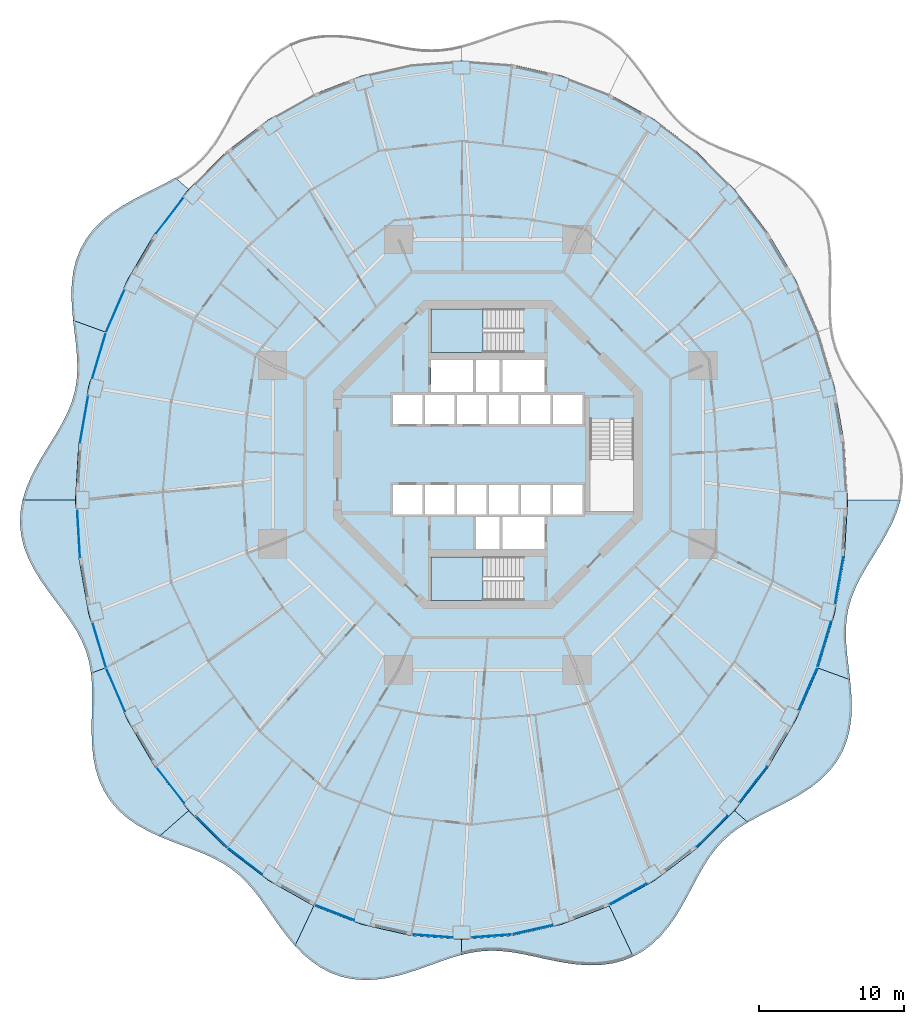
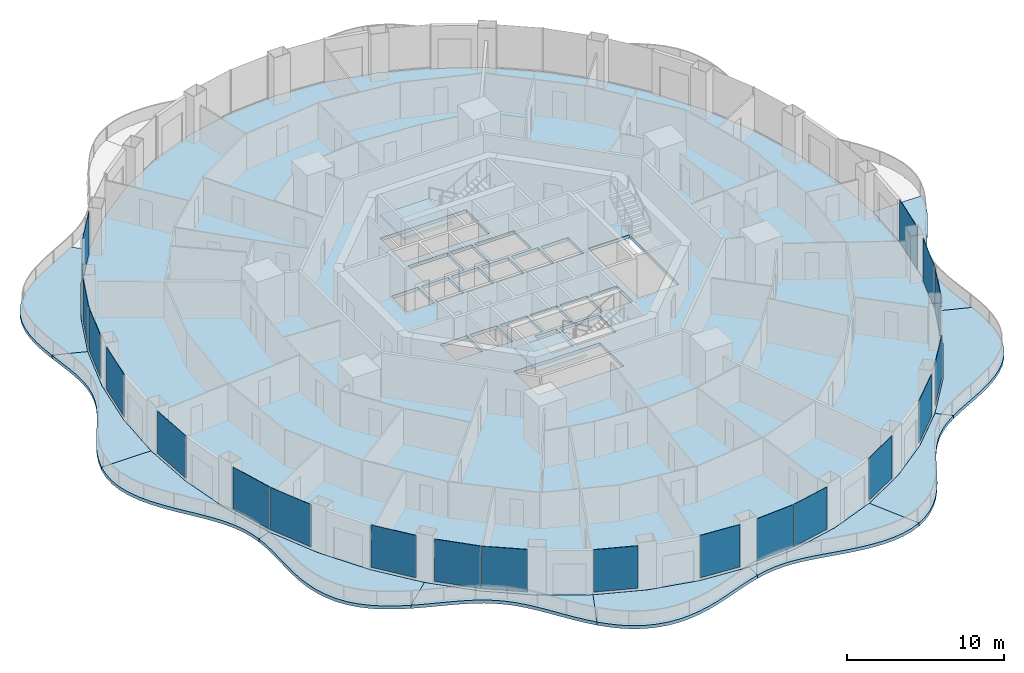
# One storey, part 10 of 20: 20 plates, 13 slabs, 22 elements without a shape of their own.
"""IFC4 building model written with IfcOpenShell, lengths in metres."""

from ifc_helpers import new_model, si_unit, direction, frame, origin, origin_2d, place, context, subcontext, project, spatial, polyline, rectangle, outline, extrude, material, layer, layer_set, type_object, element, aggregate, save


model = new_model("IFC4")

# Units and contexts
model_context = context("Model", 3, precision=1e-05, world=origin(), true_north=direction((0.0, 1.0)))
body_context = subcontext(model_context, "Body", "Model", "MODEL_VIEW")
ifc_project = project(units=[si_unit("LENGTHUNIT", "METRE"), si_unit("AREAUNIT", "SQUARE_METRE"), si_unit("VOLUMEUNIT", "CUBIC_METRE"), si_unit("PLANEANGLEUNIT", "RADIAN"), si_unit("MASSUNIT", "GRAM", prefix="KILO")], contexts=[model_context])

# Site, building, storey
site_placement = place(None, origin())
site = spatial("IfcSite", under=ifc_project, at=site_placement, CompositionType="ELEMENT")
building_placement = place(site_placement, origin())
building = spatial("IfcBuilding", under=site, at=building_placement, Name="Nagisa Residences", CompositionType="ELEMENT")
storey_placement = place(building_placement, frame((0.0, 0.0, 123.300048828125)))
storey = spatial("IfcBuildingStorey", under=building, at=storey_placement, Name="L30", CompositionType="ELEMENT", Elevation=123.300048828125)

# Slabs
ifc_material_1 = material(Name="Concrete C40/50", Category="concrete")
ifc_layer_1 = layer(ifc_material_1, 0.25)
ifc_layer_set_1 = layer_set([ifc_layer_1], Name="BALCONY SLAB 250")
slab_type_1 = type_object("IfcSlabType", Name="BALCONY SLAB 250", PredefinedType="FLOOR", material=ifc_layer_set_1)
slab_1_placement = place(storey_placement, frame((0.0, 0.0, -0.25)))
element("IfcSlab", 1, at=slab_1_placement, inside=storey, type_object=slab_type_1, Name="slab:L30:bal06", PredefinedType="FLOOR", context=body_context, shape_type="SweptSolid", body=[
    extrude(outline(polyline([(-21.47216796875, 19.0322265625), (-22.170166015625, 18.64599609375), (-22.90478515625, 18.27099609375), (-23.661376953125, 17.892333984375), (-24.421875, 17.49462890625), (-25.166259765625, 17.064453125), (-25.874267578125, 16.590087890625), (-26.5263671875, 16.0634765625), (-27.105224609375, 15.47998046875), (-27.5966796875, 14.837890625), (-27.9921875, 14.14013671875), (-28.286865234375, 13.391845703125), (-28.48291015625, 12.6015625), (-28.58740234375, 11.779052734375), (-28.612548828125, 10.935791015625), (-28.575439453125, 10.0830078125), (-28.496337890625, 9.2314453125), (-26.315185546875, 8.4375), (-24.780029296875, 11.979736328125), (-22.8515625, 15.263916015625), (-20.56298828125, 18.2333984375), (-21.47216796875, 19.0322265625)])), origin(), (0.0, 0.0, 1.0), 0.25),
])
slab_2_placement = place(storey_placement, frame((0.0, 0.0, -0.25)))
element("IfcSlab", 2, at=slab_2_placement, inside=storey, type_object=slab_type_1, Name="slab:L30:bal07", PredefinedType="FLOOR", context=body_context, shape_type="SweptSolid", body=[
    extrude(outline(polyline([(-28.496337890625, 9.2314453125), (-28.394287109375, 8.36376953125), (-28.29638671875, 7.515380859375), (-28.226806640625, 6.69140625), (-28.20654296875, 5.89453125), (-28.25244140625, 5.123779296875), (-28.37548828125, 4.376220703125), (-28.58056640625, 3.646728515625), (-28.865478515625, 2.928466796875), (-29.22119140625, 2.214111328125), (-29.632568359375, 1.49658203125), (-30.079345703125, 0.76904296875), (-30.53759765625, 0.026611328125), (-30.981201171875, -0.7333984375), (-31.3837890625, -1.51220703125), (-31.720703125, -2.30810546875), (-31.970703125, -3.11767578125), (-28.3349609375, -3.11767578125), (-28.10791015625, 0.823486328125), (-27.430908203125, 4.697265625), (-26.315185546875, 8.4375), (-28.496337890625, 9.2314453125)])), origin(), (0.0, 0.0, 1.0), 0.25),
])
slab_3_placement = place(storey_placement, frame((0.0, 0.0, -0.25)))
element("IfcSlab", 3, at=slab_3_placement, inside=storey, type_object=slab_type_1, Name="slab:L30:bal08", PredefinedType="FLOOR", context=body_context, shape_type="SweptSolid", body=[
    extrude(outline(polyline([(-31.970703125, -3.11767578125), (-32.1171875, -3.935791015625), (-32.1494140625, -4.756103515625), (-32.06396484375, -5.57177734375), (-31.863525390625, -6.376220703125), (-31.55859375, -7.163818359375), (-31.16455078125, -7.9306640625), (-30.702880859375, -8.674560546875), (-30.197509765625, -9.395751953125), (-29.674560546875, -10.09716796875), (-29.159912109375, -10.78369140625), (-28.677490234375, -11.462158203125), (-28.24755859375, -12.140625), (-27.885498046875, -12.827880859375), (-27.6005859375, -13.5322265625), (-27.395751953125, -14.260986328125), (-27.266357421875, -15.01904296875), (-26.315185546875, -14.6728515625), (-27.430908203125, -10.9326171875), (-28.10791015625, -7.058837890625), (-28.3349609375, -3.11767578125), (-31.970703125, -3.11767578125)])), origin(), (0.0, 0.0, 1.0), 0.25),
])
slab_4_placement = place(storey_placement, frame((0.0, 0.0, -0.25)))
element("IfcSlab", 4, at=slab_4_placement, inside=storey, type_object=slab_type_1, Name="slab:L30:bal09", PredefinedType="FLOOR", context=body_context, shape_type="SweptSolid", body=[
    extrude(outline(polyline([(-27.266357421875, -15.01904296875), (-27.20361328125, -15.78466796875), (-27.187744140625, -16.580322265625), (-27.2001953125, -17.40283203125), (-27.22021484375, -18.245849609375), (-27.2255859375, -19.10107421875), (-27.194580078125, -19.957275390625), (-27.107177734375, -20.80224609375), (-26.946533203125, -21.62255859375), (-26.699951171875, -22.406005859375), (-26.359619140625, -23.140625), (-25.92333984375, -23.817138671875), (-25.394287109375, -24.42919921875), (-24.780517578125, -24.973876953125), (-24.094482421875, -25.4521484375), (-23.352783203125, -25.86962890625), (-22.5732421875, -26.235107421875), (-20.56298828125, -24.46875), (-22.8515625, -21.499267578125), (-24.780029296875, -18.215087890625), (-26.315185546875, -14.6728515625), (-27.266357421875, -15.01904296875)])), origin(), (0.0, 0.0, 1.0), 0.25),
])
slab_5_placement = place(storey_placement, frame((0.0, 0.0, -0.25)))
element("IfcSlab", 5, at=slab_5_placement, inside=storey, type_object=slab_type_1, Name="slab:L30:bal10", PredefinedType="FLOOR", context=body_context, shape_type="SweptSolid", body=[
    extrude(outline(polyline([(-22.5732421875, -26.235107421875), (-21.812744140625, -26.546630859375), (-21.0517578125, -26.8349609375), (-20.30517578125, -27.114990234375), (-19.5859375, -27.401123046875), (-18.9033203125, -27.7080078125), (-18.263427734375, -28.048583984375), (-17.6689453125, -28.43310546875), (-17.117919921875, -28.869140625), (-16.605712890625, -29.35986328125), (-16.124267578125, -29.90478515625), (-15.6630859375, -30.49853515625), (-15.210693359375, -31.132080078125), (-14.754150390625, -31.7919921875), (-14.281982421875, -32.46240234375), (-13.783203125, -33.125), (-13.248779296875, -33.76025390625), (-11.95458984375, -31.01416015625), (-15.0673828125, -29.267333984375), (-17.953369140625, -27.072998046875), (-20.56298828125, -24.46875), (-22.5732421875, -26.235107421875)])), origin(), (0.0, 0.0, 1.0), 0.25),
])
slab_6_placement = place(storey_placement, frame((0.0, 0.0, -0.25)))
element("IfcSlab", 6, at=slab_6_placement, inside=storey, type_object=slab_type_1, Name="slab:L30:bal11", PredefinedType="FLOOR", context=body_context, shape_type="SweptSolid", body=[
    extrude(outline(polyline([(-13.248779296875, -33.76025390625), (-12.694091796875, -34.328369140625), (-12.097412109375, -34.8369140625), (-11.4580078125, -35.271728515625), (-10.778564453125, -35.62158203125), (-10.062744140625, -35.879150390625), (-9.3173828125, -36.041015625), (-8.550048828125, -36.10791015625), (-7.768798828125, -36.085693359375), (-6.982421875, -35.9833984375), (-6.19873046875, -35.814697265625), (-5.42431640625, -35.595458984375), (-4.664306640625, -35.343505859375), (-3.921875, -35.07763671875), (-3.1982421875, -34.81689453125), (-2.49169921875, -34.578369140625), (-1.800048828125, -34.376953125), (-1.800048828125, -33.312744140625), (-5.263427734375, -33.054443359375), (-8.667724609375, -32.283935546875), (-11.95458984375, -31.01416015625), (-13.248779296875, -33.76025390625)])), origin(), (0.0, 0.0, 1.0), 0.25),
])
slab_7_placement = place(storey_placement, frame((0.0, 0.0, -0.25)))
element("IfcSlab", 7, at=slab_7_placement, inside=storey, type_object=slab_type_1, Name="slab:L30:bal12", PredefinedType="FLOOR", context=body_context, shape_type="SweptSolid", body=[
    extrude(outline(polyline([(-1.800048828125, -34.376953125), (-1.1181640625, -34.224609375), (-0.440673828125, -34.129150390625), (0.23876953125, -34.093994140625), (0.926025390625, -34.117919921875), (1.62646484375, -34.195556640625), (2.344482421875, -34.3173828125), (3.081787109375, -34.469482421875), (3.839111328125, -34.63671875), (4.6142578125, -34.80078125), (5.4033203125, -34.943603515625), (6.19970703125, -35.047119140625), (6.99609375, -35.0947265625), (7.783203125, -35.07275390625), (8.551513671875, -34.9697265625), (9.2919921875, -34.778564453125), (9.995849609375, -34.49658203125), (8.3544921875, -31.01416015625), (5.06787109375, -32.283935546875), (1.66357421875, -33.054443359375), (-1.800048828125, -33.312744140625), (-1.800048828125, -34.376953125)])), origin(), (0.0, 0.0, 1.0), 0.25),
])
slab_8_placement = place(storey_placement, frame((0.0, 0.0, -0.25)))
element("IfcSlab", 8, at=slab_8_placement, inside=storey, type_object=slab_type_1, Name="slab:L30:bal13", PredefinedType="FLOOR", context=body_context, shape_type="SweptSolid", body=[
    extrude(outline(polyline([(9.995849609375, -34.49658203125), (10.680419921875, -34.109375), (11.312744140625, -33.63134765625), (11.890625, -33.072998046875), (12.414794921875, -32.448486328125), (12.88916015625, -31.77392578125), (13.321044921875, -31.067138671875), (13.720458984375, -30.3466796875), (14.099853515625, -29.63037109375), (14.47216796875, -28.933837890625), (14.851806640625, -28.2705078125), (15.251708984375, -27.650146484375), (15.683837890625, -27.078857421875), (16.15771484375, -26.55859375), (16.67919921875, -26.087646484375), (17.251220703125, -25.66015625), (17.8720703125, -25.267578125), (16.963134765625, -24.46875), (14.353515625, -27.072998046875), (11.467529296875, -29.267333984375), (8.3544921875, -31.01416015625), (9.995849609375, -34.49658203125)])), origin(), (0.0, 0.0, 1.0), 0.25),
])
slab_9_placement = place(storey_placement, frame((0.0, 0.0, -0.25)))
element("IfcSlab", 9, at=slab_9_placement, inside=storey, type_object=slab_type_1, Name="slab:L30:bal14", PredefinedType="FLOOR", context=body_context, shape_type="SweptSolid", body=[
    extrude(outline(polyline([(17.8720703125, -25.267578125), (18.570068359375, -24.88134765625), (19.3046875, -24.506591796875), (20.061279296875, -24.127685546875), (20.82177734375, -23.730224609375), (21.566162109375, -23.2998046875), (22.274169921875, -22.825439453125), (22.92626953125, -22.299072265625), (23.505126953125, -21.71533203125), (23.996826171875, -21.0732421875), (24.39208984375, -20.37548828125), (24.68701171875, -19.627197265625), (24.883056640625, -18.8369140625), (24.9873046875, -18.014404296875), (25.0126953125, -17.171142578125), (24.9755859375, -16.318359375), (24.896484375, -15.466796875), (22.715087890625, -14.6728515625), (21.179931640625, -18.215087890625), (19.251708984375, -21.499267578125), (16.963134765625, -24.46875), (17.8720703125, -25.267578125)])), origin(), (0.0, 0.0, 1.0), 0.25),
])
slab_10_placement = place(storey_placement, frame((0.0, 0.0, -0.25)))
element("IfcSlab", 10, at=slab_10_placement, inside=storey, type_object=slab_type_1, Name="slab:L30:bal15", PredefinedType="FLOOR", context=body_context, shape_type="SweptSolid", body=[
    extrude(outline(polyline([(24.896484375, -15.466796875), (24.79443359375, -14.59912109375), (24.696533203125, -13.750732421875), (24.626708984375, -12.9267578125), (24.6064453125, -12.1298828125), (24.65234375, -11.359130859375), (24.775634765625, -10.611572265625), (24.980712890625, -9.882080078125), (25.265380859375, -9.163818359375), (25.62109375, -8.44970703125), (26.032470703125, -7.73193359375), (26.479248046875, -7.00439453125), (26.9375, -6.261962890625), (27.381103515625, -5.501953125), (27.78369140625, -4.72314453125), (28.120849609375, -3.92724609375), (28.370849609375, -3.11767578125), (24.735107421875, -3.11767578125), (24.508056640625, -7.058837890625), (23.830810546875, -10.9326171875), (22.715087890625, -14.6728515625), (24.896484375, -15.466796875)])), origin(), (0.0, 0.0, 1.0), 0.25),
])

# Curtain wall, plate
ifc_material_2 = material(Name="Concrete-coloured aluminium curtain wall system", Category="concrete")
ifc_layer_2 = layer(ifc_material_2, 0.159912109375)
ifc_layer_set_2 = layer_set([ifc_layer_2], Name="CW1 CURTAIN WALL")
curtain_wall_type = type_object("IfcCurtainWallType", Name="CW1 CURTAIN WALL", PredefinedType="NOTDEFINED", material=ifc_layer_set_2)
curtain_wall_1_placement = place(storey_placement, origin())
curtain_wall_1 = element("IfcCurtainWall", 11, at=curtain_wall_1_placement, inside=storey, type_object=curtain_wall_type, Name="cw:CW1:L30:18", PredefinedType="NOTDEFINED")
ifc_material_3 = material(Name="Clear laminated glass", Category="glass")
ifc_layer_3 = layer(ifc_material_3, 0.028076171875)
ifc_layer_set_3 = layer_set([ifc_layer_3], Name="CW1 GLASS PANEL")
plate_type = type_object("IfcPlateType", Name="CW1 GLASS PANEL", PredefinedType="CURTAIN_PANEL", material=ifc_layer_set_3)
plate_1_placement = place(storey_placement, frame((-21.845458984375, 16.4384765625, 0.14990234375), z_axis=(0.0, 0.0, 1.0), x_axis=(-0.610429828235, -0.792070340816, 0.0)))
plate_1 = element("IfcPlate", 12, at=plate_1_placement, type_object=plate_type, Name="CW1 panel", PredefinedType="CURTAIN_PANEL", context=body_context, shape_type="SweptSolid", body=[
    extrude(rectangle(XDim=3.089111328125, YDim=0.028076171875, at=origin_2d()), origin(), (0.0, 0.0, 1.0), 3.2900390625),
])
aggregate(curtain_wall_1, [plate_1])

curtain_wall_2_placement = place(storey_placement, origin())
curtain_wall_2 = element("IfcCurtainWall", 13, at=curtain_wall_2_placement, inside=storey, type_object=curtain_wall_type, Name="cw:CW1:L30:20", PredefinedType="NOTDEFINED")
plate_2_placement = place(storey_placement, frame((-25.60546875, 9.8740234375, 0.14990234375), z_axis=(0.0, 0.0, 1.0), x_axis=(-0.397635934147, -0.917543276295, 0.0)))
plate_2 = element("IfcPlate", 14, at=plate_2_placement, type_object=plate_type, Name="CW1 panel", PredefinedType="CURTAIN_PANEL", context=body_context, shape_type="SweptSolid", body=[
    extrude(rectangle(XDim=3.20068359375, YDim=0.028076171875, at=origin_2d()), origin(), (0.0, 0.0, 1.0), 3.2900390625),
])
aggregate(curtain_wall_2, [plate_2])

curtain_wall_3_placement = place(storey_placement, origin())
curtain_wall_3 = element("IfcCurtainWall", 15, at=curtain_wall_3_placement, inside=storey, type_object=curtain_wall_type, Name="cw:CW1:L30:21", PredefinedType="NOTDEFINED")
plate_3_placement = place(storey_placement, frame((-26.71923828125, 6.80322265625, 0.14990234375), z_axis=(0.0, 0.0, 1.0), x_axis=(-0.285860274038, -0.958271310082, 0.0)))
plate_3 = element("IfcPlate", 16, at=plate_3_placement, type_object=plate_type, Name="CW1 panel", PredefinedType="CURTAIN_PANEL", context=body_context, shape_type="SweptSolid", body=[
    extrude(rectangle(XDim=3.242919921875, YDim=0.028076171875, at=origin_2d()), origin(), (0.0, 0.0, 1.0), 3.2900390625),
])
aggregate(curtain_wall_3, [plate_3])

curtain_wall_4_placement = place(storey_placement, origin())
curtain_wall_4 = element("IfcCurtainWall", 17, at=curtain_wall_4_placement, inside=storey, type_object=curtain_wall_type, Name="cw:CW1:L30:22", PredefinedType="NOTDEFINED")
plate_4_placement = place(storey_placement, frame((-27.747314453125, 2.421630859375, 0.14990234375), z_axis=(0.0, 0.0, 1.0), x_axis=(-0.172190868898, -0.985063604377, 0.0)))
plate_4 = element("IfcPlate", 18, at=plate_4_placement, type_object=plate_type, Name="CW1 panel", PredefinedType="CURTAIN_PANEL", context=body_context, shape_type="SweptSolid", body=[
    extrude(rectangle(XDim=3.2724609375, YDim=0.028076171875, at=origin_2d()), origin(), (0.0, 0.0, 1.0), 3.2900390625),
])
aggregate(curtain_wall_4, [plate_4])

curtain_wall_5_placement = place(storey_placement, origin())
curtain_wall_5 = element("IfcCurtainWall", 19, at=curtain_wall_5_placement, inside=storey, type_object=curtain_wall_type, Name="cw:CW1:L30:24", PredefinedType="NOTDEFINED")
plate_5_placement = place(storey_placement, frame((-28.12255859375, -5.4130859375, 0.14990234375), z_axis=(0.0, 0.0, 1.0), x_axis=(0.057503492216, -0.998345305184, 0.0)))
plate_5 = element("IfcPlate", 20, at=plate_5_placement, type_object=plate_type, Name="CW1 panel", PredefinedType="CURTAIN_PANEL", context=body_context, shape_type="SweptSolid", body=[
    extrude(rectangle(XDim=3.287841796875, YDim=0.028076171875, at=origin_2d()), origin(), (0.0, 0.0, 1.0), 3.2900390625),
])
aggregate(curtain_wall_5, [plate_5])

curtain_wall_6_placement = place(storey_placement, origin())
curtain_wall_6 = element("IfcCurtainWall", 21, at=curtain_wall_6_placement, inside=storey, type_object=curtain_wall_type, Name="cw:CW1:L30:26", PredefinedType="NOTDEFINED")
plate_6_placement = place(storey_placement, frame((-26.701904296875, -13.09619140625, 0.14990234375), z_axis=(0.0, 0.0, 1.0), x_axis=(0.285860274038, -0.958271310082, 0.0)))
plate_6 = element("IfcPlate", 22, at=plate_6_placement, type_object=plate_type, Name="CW1 panel", PredefinedType="CURTAIN_PANEL", context=body_context, shape_type="SweptSolid", body=[
    extrude(rectangle(XDim=3.242919921875, YDim=0.028076171875, at=origin_2d()), origin(), (0.0, 0.0, 1.0), 3.2900390625),
])
aggregate(curtain_wall_6, [plate_6])

curtain_wall_7_placement = place(storey_placement, origin())
curtain_wall_7 = element("IfcCurtainWall", 23, at=curtain_wall_7_placement, inside=storey, type_object=curtain_wall_type, Name="cw:CW1:L30:27", PredefinedType="NOTDEFINED")
plate_7_placement = place(storey_placement, frame((-25.58154296875, -16.16455078125, 0.14990234375), z_axis=(0.0, 0.0, 1.0), x_axis=(0.397635934147, -0.917543276295, 0.0)))
plate_7 = element("IfcPlate", 24, at=plate_7_placement, type_object=plate_type, Name="CW1 panel", PredefinedType="CURTAIN_PANEL", context=body_context, shape_type="SweptSolid", body=[
    extrude(rectangle(XDim=3.20068359375, YDim=0.028076171875, at=origin_2d()), origin(), (0.0, 0.0, 1.0), 3.2900390625),
])
aggregate(curtain_wall_7, [plate_7])

curtain_wall_8_placement = place(storey_placement, origin())
curtain_wall_8 = element("IfcCurtainWall", 25, at=curtain_wall_8_placement, inside=storey, type_object=curtain_wall_type, Name="cw:CW1:L30:29", PredefinedType="NOTDEFINED")
plate_8_placement = place(storey_placement, frame((-21.808837890625, -22.721435546875, 0.14990234375), z_axis=(0.0, 0.0, 1.0), x_axis=(0.610429828235, -0.792070340816, 0.0)))
plate_8 = element("IfcPlate", 26, at=plate_8_placement, type_object=plate_type, Name="CW1 panel", PredefinedType="CURTAIN_PANEL", context=body_context, shape_type="SweptSolid", body=[
    extrude(rectangle(XDim=3.089111328125, YDim=0.028076171875, at=origin_2d()), origin(), (0.0, 0.0, 1.0), 3.2900390625),
])
aggregate(curtain_wall_8, [plate_8])

curtain_wall_9_placement = place(storey_placement, origin())
curtain_wall_9 = element("IfcCurtainWall", 27, at=curtain_wall_9_placement, inside=storey, type_object=curtain_wall_type, Name="cw:CW1:L30:30", PredefinedType="NOTDEFINED")
plate_9_placement = place(storey_placement, frame((-18.96826171875, -25.947265625, 0.14990234375), z_axis=(0.0, 0.0, 1.0), x_axis=(0.707835924016, -0.706376885714, 0.0)))
plate_9 = element("IfcPlate", 28, at=plate_9_placement, type_object=plate_type, Name="CW1 panel", PredefinedType="CURTAIN_PANEL", context=body_context, shape_type="SweptSolid", body=[
    extrude(rectangle(XDim=3.026611328125, YDim=0.028076171875, at=origin_2d()), origin(), (0.0, 0.0, 1.0), 3.2900390625),
])
aggregate(curtain_wall_9, [plate_9])

curtain_wall_10_placement = place(storey_placement, origin())
curtain_wall_10 = element("IfcCurtainWall", 29, at=curtain_wall_10_placement, inside=storey, type_object=curtain_wall_type, Name="cw:CW1:L30:31", PredefinedType="NOTDEFINED")
plate_10_placement = place(storey_placement, frame((-16.677001953125, -27.943115234375, 0.14990234375), z_axis=(0.0, 0.0, 1.0), x_axis=(0.79603132756, -0.605255421737, 0.0)))
plate_10 = element("IfcPlate", 30, at=plate_10_placement, type_object=plate_type, Name="CW1 panel", PredefinedType="CURTAIN_PANEL", context=body_context, shape_type="SweptSolid", body=[
    extrude(rectangle(XDim=2.965576171875, YDim=0.028076171875, at=origin_2d()), origin(), (0.0, 0.0, 1.0), 3.2900390625),
])
aggregate(curtain_wall_10, [plate_10])

curtain_wall_11_placement = place(storey_placement, origin())
curtain_wall_11 = element("IfcCurtainWall", 31, at=curtain_wall_11_placement, inside=storey, type_object=curtain_wall_type, Name="cw:CW1:L30:33", PredefinedType="NOTDEFINED")
plate_11_placement = place(storey_placement, frame((-10.5341796875, -31.47705078125, 0.14990234375), z_axis=(0.0, 0.0, 1.0), x_axis=(0.932825759707, -0.360327770268, 0.0)))
plate_11 = element("IfcPlate", 32, at=plate_11_placement, type_object=plate_type, Name="CW1 panel", PredefinedType="CURTAIN_PANEL", context=body_context, shape_type="SweptSolid", body=[
    extrude(rectangle(XDim=2.863525390625, YDim=0.028076171875, at=origin_2d()), origin(), (0.0, 0.0, 1.0), 3.2900390625),
])
aggregate(curtain_wall_11, [plate_11])

curtain_wall_12_placement = place(storey_placement, origin())
curtain_wall_12 = element("IfcCurtainWall", 33, at=curtain_wall_12_placement, inside=storey, type_object=curtain_wall_type, Name="cw:CW1:L30:35", PredefinedType="NOTDEFINED")
plate_12_placement = place(storey_placement, frame((-3.795166015625, -33.083740234375, 0.14990234375), z_axis=(0.0, 0.0, 1.0), x_axis=(0.997230168512, -0.074377355493, 0.0)))
plate_12 = element("IfcPlate", 34, at=plate_12_placement, type_object=plate_type, Name="CW1 panel", PredefinedType="CURTAIN_PANEL", context=body_context, shape_type="SweptSolid", body=[
    extrude(rectangle(XDim=2.813232421875, YDim=0.028076171875, at=origin_2d()), origin(), (0.0, 0.0, 1.0), 3.2900390625),
])
aggregate(curtain_wall_12, [plate_12])

curtain_wall_13_placement = place(storey_placement, origin())
curtain_wall_13 = element("IfcCurtainWall", 35, at=curtain_wall_13_placement, inside=storey, type_object=curtain_wall_type, Name="cw:CW1:L30:36", PredefinedType="NOTDEFINED")
plate_13_placement = place(storey_placement, frame((0.2548828125, -33.0791015625, 0.14990234375), z_axis=(0.0, 0.0, 1.0), x_axis=(0.997230168512, 0.074377355493, 0.0)))
plate_13 = element("IfcPlate", 36, at=plate_13_placement, type_object=plate_type, Name="CW1 panel", PredefinedType="CURTAIN_PANEL", context=body_context, shape_type="SweptSolid", body=[
    extrude(rectangle(XDim=2.813232421875, YDim=0.028076171875, at=origin_2d()), origin(), (0.0, 0.0, 1.0), 3.2900390625),
])
aggregate(curtain_wall_13, [plate_13])

curtain_wall_14_placement = place(storey_placement, origin())
curtain_wall_14 = element("IfcCurtainWall", 37, at=curtain_wall_14_placement, inside=storey, type_object=curtain_wall_type, Name="cw:CW1:L30:37", PredefinedType="NOTDEFINED")
plate_14_placement = place(storey_placement, frame((3.084716796875, -32.650634765625, 0.14990234375), z_axis=(0.0, 0.0, 1.0), x_axis=(0.975327274089, 0.2207639201, 0.0)))
plate_14 = element("IfcPlate", 38, at=plate_14_placement, type_object=plate_type, Name="CW1 panel", PredefinedType="CURTAIN_PANEL", context=body_context, shape_type="SweptSolid", body=[
    extrude(rectangle(XDim=2.830322265625, YDim=0.028076171875, at=origin_2d()), origin(), (0.0, 0.0, 1.0), 3.2900390625),
])
aggregate(curtain_wall_14, [plate_14])

curtain_wall_15_placement = place(storey_placement, origin())
curtain_wall_15 = element("IfcCurtainWall", 39, at=curtain_wall_15_placement, inside=storey, type_object=curtain_wall_type, Name="cw:CW1:L30:39", PredefinedType="NOTDEFINED")
plate_15_placement = place(storey_placement, frame((9.636474609375, -30.203125, 0.14990234375), z_axis=(0.0, 0.0, 1.0), x_axis=(0.872072377523, 0.489376918501, 0.0)))
plate_15 = element("IfcPlate", 40, at=plate_15_placement, type_object=plate_type, Name="CW1 panel", PredefinedType="CURTAIN_PANEL", context=body_context, shape_type="SweptSolid", body=[
    extrude(rectangle(XDim=2.90966796875, YDim=0.028076171875, at=origin_2d()), origin(), (0.0, 0.0, 1.0), 3.2900390625),
])
aggregate(curtain_wall_15, [plate_15])

curtain_wall_16_placement = place(storey_placement, origin())
curtain_wall_16 = element("IfcCurtainWall", 41, at=curtain_wall_16_placement, inside=storey, type_object=curtain_wall_type, Name="cw:CW1:L30:41", PredefinedType="NOTDEFINED")
plate_16_placement = place(storey_placement, frame((15.41064453125, -25.905029296875, 0.14990234375), z_axis=(0.0, 0.0, 1.0), x_axis=(0.707835924016, 0.706376885714, 0.0)))
plate_16 = element("IfcPlate", 42, at=plate_16_placement, type_object=plate_type, Name="CW1 panel", PredefinedType="CURTAIN_PANEL", context=body_context, shape_type="SweptSolid", body=[
    extrude(rectangle(XDim=3.026611328125, YDim=0.028076171875, at=origin_2d()), origin(), (0.0, 0.0, 1.0), 3.2900390625),
])
aggregate(curtain_wall_16, [plate_16])

curtain_wall_17_placement = place(storey_placement, origin())
curtain_wall_17 = element("IfcCurtainWall", 43, at=curtain_wall_17_placement, inside=storey, type_object=curtain_wall_type, Name="cw:CW1:L30:42", PredefinedType="NOTDEFINED")
plate_17_placement = place(storey_placement, frame((18.245361328125, -22.673828125, 0.14990234375), z_axis=(0.0, 0.0, 1.0), x_axis=(0.610429828235, 0.792070340816, 0.0)))
plate_17 = element("IfcPlate", 44, at=plate_17_placement, type_object=plate_type, Name="CW1 panel", PredefinedType="CURTAIN_PANEL", context=body_context, shape_type="SweptSolid", body=[
    extrude(rectangle(XDim=3.089111328125, YDim=0.028076171875, at=origin_2d()), origin(), (0.0, 0.0, 1.0), 3.2900390625),
])
aggregate(curtain_wall_17, [plate_17])

curtain_wall_18_placement = place(storey_placement, origin())
curtain_wall_18 = element("IfcCurtainWall", 45, at=curtain_wall_18_placement, inside=storey, type_object=curtain_wall_type, Name="cw:CW1:L30:44", PredefinedType="NOTDEFINED")
plate_18_placement = place(storey_placement, frame((22.00537109375, -16.109375, 0.14990234375), z_axis=(0.0, 0.0, 1.0), x_axis=(0.397635934147, 0.917543276295, 0.0)))
plate_18 = element("IfcPlate", 46, at=plate_18_placement, type_object=plate_type, Name="CW1 panel", PredefinedType="CURTAIN_PANEL", context=body_context, shape_type="SweptSolid", body=[
    extrude(rectangle(XDim=3.20068359375, YDim=0.028076171875, at=origin_2d()), origin(), (0.0, 0.0, 1.0), 3.2900390625),
])
aggregate(curtain_wall_18, [plate_18])

curtain_wall_19_placement = place(storey_placement, origin())
curtain_wall_19 = element("IfcCurtainWall", 47, at=curtain_wall_19_placement, inside=storey, type_object=curtain_wall_type, Name="cw:CW1:L30:45", PredefinedType="NOTDEFINED")
plate_19_placement = place(storey_placement, frame((23.119140625, -13.03857421875, 0.14990234375), z_axis=(0.0, 0.0, 1.0), x_axis=(0.285860274038, 0.958271310082, 0.0)))
plate_19 = element("IfcPlate", 48, at=plate_19_placement, type_object=plate_type, Name="CW1 panel", PredefinedType="CURTAIN_PANEL", context=body_context, shape_type="SweptSolid", body=[
    extrude(rectangle(XDim=3.242919921875, YDim=0.028076171875, at=origin_2d()), origin(), (0.0, 0.0, 1.0), 3.2900390625),
])
aggregate(curtain_wall_19, [plate_19])

curtain_wall_20_placement = place(storey_placement, origin())
curtain_wall_20 = element("IfcCurtainWall", 49, at=curtain_wall_20_placement, inside=storey, type_object=curtain_wall_type, Name="cw:CW1:L30:46", PredefinedType="NOTDEFINED")
plate_20_placement = place(storey_placement, frame((24.1474609375, -8.656982421875, 0.14990234375), z_axis=(0.0, 0.0, 1.0), x_axis=(0.172190868898, 0.985063604377, 0.0)))
plate_20 = element("IfcPlate", 50, at=plate_20_placement, type_object=plate_type, Name="CW1 panel", PredefinedType="CURTAIN_PANEL", context=body_context, shape_type="SweptSolid", body=[
    extrude(rectangle(XDim=3.2724609375, YDim=0.028076171875, at=origin_2d()), origin(), (0.0, 0.0, 1.0), 3.2900390625),
])
aggregate(curtain_wall_20, [plate_20])

# Slab
ifc_material_4 = material(Name="Concrete C40", Category="concrete")
ifc_layer_4 = layer(ifc_material_4, 0.260009765625)
ifc_layer_set_4 = layer_set([ifc_layer_4], Name="Floor slab 260")
slab_type_2 = type_object("IfcSlabType", Name="Floor slab 260", PredefinedType="FLOOR", material=ifc_layer_set_4)
slab_11_placement = place(storey_placement, frame((0.0, 0.0, -0.260009765625)))
element("IfcSlab", 51, at=slab_11_placement, inside=storey, type_object=slab_type_2, Name="slab:L30:floor", PredefinedType="FLOOR", context=body_context, shape_type="SweptSolid", body=[
    extrude(outline(polyline([(24.735107421875, -3.11767578125), (24.508056640625, 0.823486328125), (23.830810546875, 4.697265625), (22.715087890625, 8.4375), (21.179931640625, 11.979736328125), (19.251708984375, 15.263916015625), (16.963134765625, 18.2333984375), (14.353515625, 20.837646484375), (11.467529296875, 23.031982421875), (8.3544921875, 24.77880859375), (5.06787109375, 26.04833984375), (1.66357421875, 26.819091796875), (-1.800048828125, 27.077392578125), (-5.263427734375, 26.819091796875), (-8.667724609375, 26.04833984375), (-11.95458984375, 24.77880859375), (-15.0673828125, 23.031982421875), (-17.953369140625, 20.837646484375), (-20.56298828125, 18.2333984375), (-22.8515625, 15.263916015625), (-24.780029296875, 11.979736328125), (-26.315185546875, 8.4375), (-27.430908203125, 4.697265625), (-28.10791015625, 0.823486328125), (-28.3349609375, -3.11767578125), (-28.10791015625, -7.058837890625), (-27.430908203125, -10.9326171875), (-26.315185546875, -14.6728515625), (-24.780029296875, -18.215087890625), (-22.8515625, -21.499267578125), (-20.56298828125, -24.46875), (-17.953369140625, -27.072998046875), (-15.0673828125, -29.267333984375), (-11.95458984375, -31.01416015625), (-8.667724609375, -32.283935546875), (-5.263427734375, -33.054443359375), (-1.800048828125, -33.312744140625), (1.66357421875, -33.054443359375), (5.06787109375, -32.283935546875), (8.3544921875, -31.01416015625), (11.467529296875, -29.267333984375), (14.353515625, -27.072998046875), (16.963134765625, -24.46875), (19.251708984375, -21.499267578125), (21.179931640625, -18.215087890625), (22.715087890625, -14.6728515625), (23.830810546875, -10.9326171875), (24.508056640625, -7.058837890625), (24.735107421875, -3.11767578125)]), holes=[polyline([(-4.5, 2.10009765625), (-4.5, 4.10009765625), (-6.5, 4.10009765625), (-6.5, 2.10009765625), (-4.5, 2.10009765625)]), polyline([(-2.300048828125, 2.10009765625), (-2.300048828125, 4.10009765625), (-4.300048828125, 4.10009765625), (-4.300048828125, 2.10009765625), (-2.300048828125, 2.10009765625)]), polyline([(-0.10009765625, 2.10009765625), (-0.10009765625, 4.10009765625), (-2.10009765625, 4.10009765625), (-2.10009765625, 2.10009765625), (-0.10009765625, 2.10009765625)]), polyline([(2.10009765625, 2.10009765625), (2.10009765625, 4.10009765625), (0.10009765625, 4.10009765625), (0.10009765625, 2.10009765625), (2.10009765625, 2.10009765625)]), polyline([(4.300048828125, 2.10009765625), (4.300048828125, 4.10009765625), (2.300048828125, 4.10009765625), (2.300048828125, 2.10009765625), (4.300048828125, 2.10009765625)]), polyline([(6.5, 2.10009765625), (6.5, 4.10009765625), (4.5, 4.10009765625), (4.5, 2.10009765625), (6.5, 2.10009765625)]), polyline([(-4.5, -4.10009765625), (-4.5, -2.10009765625), (-6.5, -2.10009765625), (-6.5, -4.10009765625), (-4.5, -4.10009765625)]), polyline([(-2.300048828125, -4.10009765625), (-2.300048828125, -2.10009765625), (-4.300048828125, -2.10009765625), (-4.300048828125, -4.10009765625), (-2.300048828125, -4.10009765625)]), polyline([(-0.10009765625, -4.10009765625), (-0.10009765625, -2.10009765625), (-2.10009765625, -2.10009765625), (-2.10009765625, -4.10009765625), (-0.10009765625, -4.10009765625)]), polyline([(2.10009765625, -4.10009765625), (2.10009765625, -2.10009765625), (0.10009765625, -2.10009765625), (0.10009765625, -4.10009765625), (2.10009765625, -4.10009765625)]), polyline([(4.300048828125, -4.10009765625), (4.300048828125, -2.10009765625), (2.300048828125, -2.10009765625), (2.300048828125, -4.10009765625), (4.300048828125, -4.10009765625)]), polyline([(6.5, -4.10009765625), (6.5, -2.10009765625), (4.5, -2.10009765625), (4.5, -4.10009765625), (6.5, -4.10009765625)]), polyline([(3.89990234375, 4.300048828125), (3.89990234375, 6.5), (1.0, 6.5), (1.0, 4.300048828125), (3.89990234375, 4.300048828125)]), polyline([(3.89990234375, -6.5), (3.89990234375, -4.300048828125), (1.0, -4.300048828125), (1.0, -6.5), (3.89990234375, -6.5)]), polyline([(-1.0, 4.300048828125), (-1.0, 6.5), (-3.89990234375, 6.5), (-3.89990234375, 4.300048828125), (-1.0, 4.300048828125)]), polyline([(0.800048828125, 4.300048828125), (0.800048828125, 6.5), (-0.800048828125, 6.5), (-0.800048828125, 4.300048828125), (0.800048828125, 4.300048828125)]), polyline([(0.800048828125, -6.5), (0.800048828125, -4.300048828125), (-0.800048828125, -4.300048828125), (-0.800048828125, -6.5), (0.800048828125, -6.5)]), polyline([(10.024658203125, -3.89990234375), (7.024658203125, -3.89990234375), (7.024658203125, 2.425048828125), (10.024658203125, 2.425048828125), (10.024658203125, -3.89990234375)]), polyline([(-3.89990234375, 7.024658203125), (-3.89990234375, 10.024658203125), (2.425048828125, 10.024658203125), (2.425048828125, 7.024658203125), (-3.89990234375, 7.024658203125)]), polyline([(-3.89990234375, -10.024658203125), (-3.89990234375, -7.024658203125), (2.425048828125, -7.024658203125), (2.425048828125, -10.024658203125), (-3.89990234375, -10.024658203125)])]), origin(), (0.0, 0.0, 1.0), 0.260009765625),
])

# Stair, slab
ifc_material_5 = material(Name="Concrete C60", Category="concrete")
stair_type = type_object("IfcStairType", Name="Exit stair", PredefinedType="HALF_TURN_STAIR", material=ifc_material_5)
stair_1_placement = place(storey_placement, origin())
stair_1 = element("IfcStair", 52, at=stair_1_placement, inside=storey, type_object=stair_type, Name="L30 Exit stair N", PredefinedType="HALF_TURN_STAIR")
ifc_material_6 = material(Name="Concrete C60", Category="concrete")
ifc_layer_5 = layer(ifc_material_6, 0.199951171875)
ifc_layer_set_5 = layer_set([ifc_layer_5], Name="Stair landing")
slab_type_3 = type_object("IfcSlabType", Name="Stair landing", PredefinedType="LANDING", material=ifc_layer_set_5)
slab_12_placement = place(storey_placement, frame((0.0, 0.0, 1.64990234375)))
slab_12 = element("IfcSlab", 53, at=slab_12_placement, type_object=slab_type_3, Name="ST-N landing 1", PredefinedType="LANDING", context=body_context, shape_type="SweptSolid", body=[
    extrude(outline(polyline([(-0.324951171875, 10.024658203125), (-3.89990234375, 10.024658203125), (-3.89990234375, 7.024658203125), (-0.324951171875, 7.024658203125), (-0.324951171875, 10.024658203125)])), origin(), (0.0, 0.0, 1.0), 0.199951171875),
])
aggregate(stair_1, [slab_12])

stair_2_placement = place(storey_placement, origin())
stair_2 = element("IfcStair", 54, at=stair_2_placement, inside=storey, type_object=stair_type, Name="L30 Exit stair S", PredefinedType="HALF_TURN_STAIR")
slab_13_placement = place(storey_placement, frame((0.0, 0.0, 1.64990234375)))
slab_13 = element("IfcSlab", 55, at=slab_13_placement, type_object=slab_type_3, Name="ST-S landing 1", PredefinedType="LANDING", context=body_context, shape_type="SweptSolid", body=[
    extrude(outline(polyline([(-0.324951171875, -7.024658203125), (-3.89990234375, -7.024658203125), (-3.89990234375, -10.024658203125), (-0.324951171875, -10.024658203125), (-0.324951171875, -7.024658203125)])), origin(), (0.0, 0.0, 1.0), 0.199951171875),
])
aggregate(stair_2, [slab_13])

save(model, "model.ifc")
